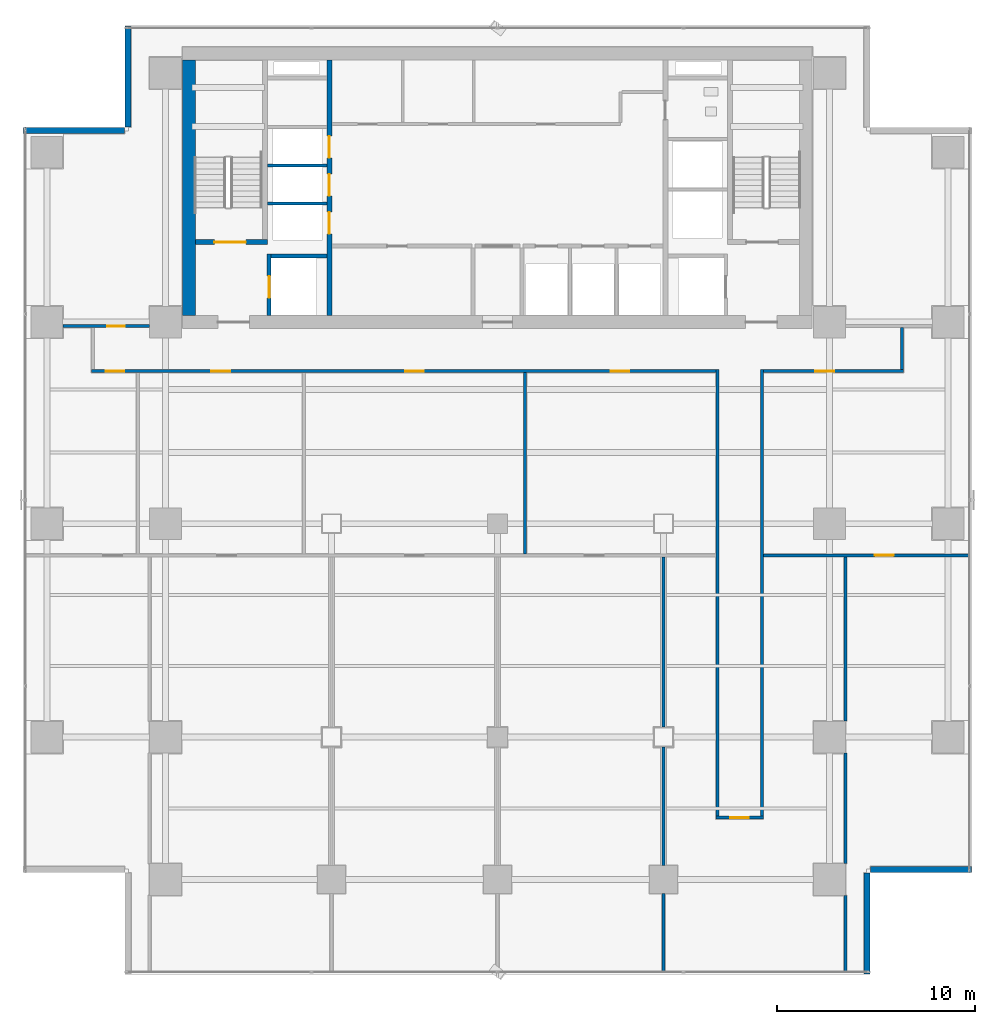
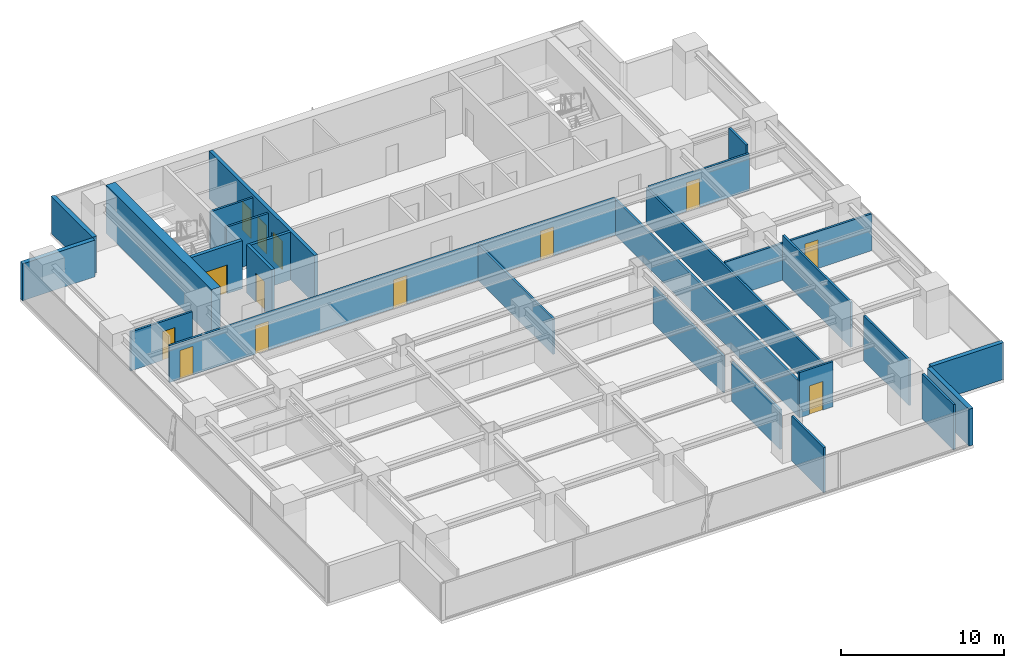
# One storey, part 21 of 28: 26 walls, 13 doors, 13 openings.
"""IFC4 building model written with IfcOpenShell, lengths in metres."""

from ifc_helpers import new_model, si_unit, direction, frame, frame_2d, origin, place, context, subcontext, project, spatial, rectangle, extrude, source, transform, mapped, material, layer, layer_set, type_object, element, fill, save


model = new_model("IFC4")

# Units and contexts
model_context = context("Model", 3, precision=1e-05, world=origin(), true_north=direction((0.0, 1.0)))
body_context = subcontext(model_context, "Body", "Model", "MODEL_VIEW")
ifc_project = project(units=[si_unit("LENGTHUNIT", "METRE"), si_unit("AREAUNIT", "SQUARE_METRE"), si_unit("VOLUMEUNIT", "CUBIC_METRE"), si_unit("PLANEANGLEUNIT", "RADIAN"), si_unit("MASSUNIT", "GRAM", prefix="KILO")], contexts=[model_context])

# Site, building, storey
site_placement = place(None, origin())
site = spatial("IfcSite", under=ifc_project, at=site_placement, CompositionType="ELEMENT")
building_placement = place(site_placement, origin())
building = spatial("IfcBuilding", under=site, at=building_placement, Name="Sumidabori Civic Tower", CompositionType="ELEMENT")
storey_placement = place(building_placement, frame((0.0, 0.0, 149.60009765625)))
storey = spatial("IfcBuildingStorey", under=building, at=storey_placement, Name="L38", CompositionType="ELEMENT", Elevation=149.60009765625)

# Walls
ifc_material_1 = material(Name="Concrete C50/60", Category="concrete")
ifc_layer_1 = layer(ifc_material_1, 0.199951171875, Name="Concrete C50/60")
ifc_layer_set_1 = layer_set([ifc_layer_1], Name="Concrete C50/60")
wall_type_1 = type_object("IfcWallType", Name="WL-SHAFT-200", PredefinedType="SHEAR", material=ifc_layer_set_1)
shared_shape_1 = source(origin(), body_context, "Body", "SweptSolid", [
    extrude(rectangle(XDim=2.824951171875, YDim=0.199951171875, at=frame_2d((1.41259765625, 0.0))), origin(), (0.0, 0.0, 1.0), 3.599853515625),
])
wall_1_placement = place(storey_placement, frame((-11.449951171875, 13.550048828125, 0.0), z_axis=(0.0, 0.0, 1.0), x_axis=(1.0, 0.0, 0.0)))
element("IfcWall", 1, at=wall_1_placement, inside=storey, type_object=wall_type_1, Name="Core Shear Wall L38 EL1-N", PredefinedType="SHEAR", context=body_context, shape_type="MappedRepresentation", body=[
    mapped(shared_shape_1, transform((0.0, 0.0, 0.0), x_axis=(1.0, 0.0, 0.0), y_axis=(0.0, 1.0, 0.0), z_axis=(0.0, 0.0, 1.0), scale=1.0)),
])
ifc_material_2 = material(Name="Concrete C60/75", Category="concrete")
ifc_layer_2 = layer(ifc_material_2, 0.64990234375, Name="Concrete C60/75")
ifc_layer_set_2 = layer_set([ifc_layer_2], Name="Concrete C60/75")
wall_type_2 = type_object("IfcWallType", Name="WL-CORE-650", PredefinedType="SHEAR", material=ifc_layer_set_2)
shared_shape_2 = source(origin(), body_context, "Body", "SweptSolid", [
    extrude(rectangle(XDim=12.9501953125, YDim=0.64990234375, at=frame_2d((6.47509765625, 0.0))), origin(), (0.0, 0.0, 1.0), 3.599853515625),
])
wall_2_placement = place(storey_placement, frame((-15.60009765625, 10.52490234375, 0.0), z_axis=(0.0, 0.0, 1.0), x_axis=(0.0, 1.0, 0.0)))
element("IfcWall", 2, at=wall_2_placement, inside=storey, type_object=wall_type_2, Name="Core Shear Wall L38 W", PredefinedType="SHEAR", context=body_context, shape_type="MappedRepresentation", body=[
    mapped(shared_shape_2, transform((0.0, 0.0, 0.0), x_axis=(1.0, 0.0, 0.0), y_axis=(0.0, 1.0, 0.0), z_axis=(0.0, 0.0, 1.0), scale=1.0)),
])

# Wall, openings, doors
ifc_layer_3 = layer(ifc_material_1, 0.25, Name="Concrete C50/60")
ifc_layer_set_3 = layer_set([ifc_layer_3], Name="Concrete C50/60")
wall_type_3 = type_object("IfcWallType", Name="WL-SHAFT-250", PredefinedType="SHEAR", material=ifc_layer_set_3)
shared_shape_3 = source(origin(), body_context, "Body", "SweptSolid", [
    extrude(rectangle(XDim=12.9501953125, YDim=0.25, at=frame_2d((6.47509765625, 0.0))), origin(), (0.0, 0.0, 1.0), 3.599853515625),
])
wall_3_placement = place(storey_placement, frame((-8.5, 10.52490234375, 0.0), z_axis=(0.0, 0.0, 1.0), x_axis=(0.0, 1.0, 0.0)))
wall_3 = element("IfcWall", 3, at=wall_3_placement, inside=storey, type_object=wall_type_3, Name="Core Shear Wall L38 WEB-W", PredefinedType="SHEAR", context=body_context, shape_type="MappedRepresentation", body=[
    mapped(shared_shape_3, transform((0.0, 0.0, 0.0), x_axis=(1.0, 0.0, 0.0), y_axis=(0.0, 1.0, 0.0), z_axis=(0.0, 0.0, 1.0), scale=1.0)),
])
opening_1_placement = place(wall_3_placement, frame((4.14501953125, 0.0, 0.0)))
opening_1 = element("IfcOpeningElement", 4, at=opening_1_placement, cuts=wall_3, Name="Opening LD-1", PredefinedType="OPENING", context=body_context, shape_type="SweptSolid", body=[
    extrude(rectangle(XDim=1.10009765625, YDim=2.14990234375, at=frame_2d((0.550048828125, 1.074951171875))), frame((0.0, 0.136962890625, 0.0), z_axis=(0.0, -1.0, 0.0), x_axis=(1.0, 0.0, 0.0)), (0.0, 0.0, 1.0), 0.27392578125),
])
opening_2_placement = place(wall_3_placement, frame((6.06494140625, 0.0, 0.0)))
opening_2 = element("IfcOpeningElement", 5, at=opening_2_placement, cuts=wall_3, Name="Opening LD-1", PredefinedType="OPENING", context=body_context, shape_type="SweptSolid", body=[
    extrude(rectangle(XDim=1.10009765625, YDim=2.14990234375, at=frame_2d((0.550048828125, 1.074951171875))), frame((0.0, 0.136962890625, 0.0), z_axis=(0.0, -1.0, 0.0), x_axis=(1.0, 0.0, 0.0)), (0.0, 0.0, 1.0), 0.27392578125),
])
opening_3_placement = place(wall_3_placement, frame((7.985107421875, 0.0, 0.0)))
opening_3 = element("IfcOpeningElement", 6, at=opening_3_placement, cuts=wall_3, Name="Opening LD-1", PredefinedType="OPENING", context=body_context, shape_type="SweptSolid", body=[
    extrude(rectangle(XDim=1.10009765625, YDim=2.14990234375, at=frame_2d((0.550048828125, 1.074951171875))), frame((0.0, 0.136962890625, 0.0), z_axis=(0.0, -1.0, 0.0), x_axis=(1.0, 0.0, 0.0)), (0.0, 0.0, 1.0), 0.27392578125),
])
ifc_material_3 = material(Name="Stainless Steel Hairline Finish", Category="steel")
door_type_1 = type_object("IfcDoorType", Name="DR-LD1", OperationType="DOUBLE_DOOR_SLIDING", PredefinedType="DOOR", material=ifc_material_3)
shared_shape_4 = source(origin(), body_context, "Body", "SweptSolid", [
    extrude(rectangle(XDim=1.10009765625, YDim=2.14990234375, at=frame_2d((0.550048828125, 1.074951171875))), frame((0.0, 0.02490234375, 0.0), z_axis=(0.0, -1.0, 0.0), x_axis=(1.0, 0.0, 0.0)), (0.0, 0.0, 1.0), 0.050048828125),
])
door_1_placement = place(opening_1_placement, origin())
door_1 = element("IfcDoor", 7, at=door_1_placement, inside=storey, type_object=door_type_1, Name="Door DR:L38:LD-PLH1", OperationType="DOUBLE_DOOR_SLIDING", OverallHeight=2.14990234375, OverallWidth=1.10009765625, PredefinedType="DOOR", context=body_context, shape_type="MappedRepresentation", body=[
    mapped(shared_shape_4, transform((0.0, 0.0, 0.0), x_axis=(1.0, 0.0, 0.0), y_axis=(0.0, 1.0, 0.0), z_axis=(0.0, 0.0, 1.0), scale=1.0)),
])
fill(opening_1, door_1)
door_2_placement = place(opening_2_placement, origin())
door_2 = element("IfcDoor", 8, at=door_2_placement, inside=storey, type_object=door_type_1, Name="Door DR:L38:LD-PLH2", OperationType="DOUBLE_DOOR_SLIDING", OverallHeight=2.14990234375, OverallWidth=1.10009765625, PredefinedType="DOOR", context=body_context, shape_type="MappedRepresentation", body=[
    mapped(shared_shape_4, transform((0.0, 0.0, 0.0), x_axis=(1.0, 0.0, 0.0), y_axis=(0.0, 1.0, 0.0), z_axis=(0.0, 0.0, 1.0), scale=1.0)),
])
fill(opening_2, door_2)
door_3_placement = place(opening_3_placement, origin())
door_3 = element("IfcDoor", 9, at=door_3_placement, inside=storey, type_object=door_type_1, Name="Door DR:L38:LD-PLH3", OperationType="DOUBLE_DOOR_SLIDING", OverallHeight=2.14990234375, OverallWidth=1.10009765625, PredefinedType="DOOR", context=body_context, shape_type="MappedRepresentation", body=[
    mapped(shared_shape_4, transform((0.0, 0.0, 0.0), x_axis=(1.0, 0.0, 0.0), y_axis=(0.0, 1.0, 0.0), z_axis=(0.0, 0.0, 1.0), scale=1.0)),
])
fill(opening_3, door_3)

# Wall, opening, door
shared_shape_5 = source(origin(), body_context, "Body", "SweptSolid", [
    extrude(rectangle(XDim=3.6298828125, YDim=0.25, at=frame_2d((1.81494140625, 0.0))), origin(), (0.0, 0.0, 1.0), 3.599853515625),
])
wall_4_placement = place(storey_placement, frame((-15.27490234375, 14.25, 0.0), z_axis=(0.0, 0.0, 1.0), x_axis=(1.0, 0.0, 0.0)))
wall_4 = element("IfcWall", 10, at=wall_4_placement, inside=storey, type_object=wall_type_3, Name="Core Shear Wall L38 ST1-S", PredefinedType="SHEAR", context=body_context, shape_type="MappedRepresentation", body=[
    mapped(shared_shape_5, transform((0.0, 0.0, 0.0), x_axis=(1.0, 0.0, 0.0), y_axis=(0.0, 1.0, 0.0), z_axis=(0.0, 0.0, 1.0), scale=1.0)),
])
opening_4_placement = place(wall_4_placement, frame((0.949951171875, 0.0, 0.0)))
opening_4 = element("IfcOpeningElement", 11, at=opening_4_placement, cuts=wall_4, Name="Opening DR-FD4", PredefinedType="OPENING", context=body_context, shape_type="SweptSolid", body=[
    extrude(rectangle(XDim=1.60009765625, YDim=2.14990234375, at=frame_2d((0.800048828125, 1.074951171875))), frame((0.0, 0.136962890625, 0.0), z_axis=(0.0, -1.0, 0.0), x_axis=(1.0, 0.0, 0.0)), (0.0, 0.0, 1.0), 0.27392578125),
])
ifc_material_4 = material(Name="Steel SN490", Category="steel")
door_type_2 = type_object("IfcDoorType", Name="DR-FD4", OperationType="DOUBLE_DOOR_SINGLE_SWING", PredefinedType="DOOR", material=ifc_material_4)
shared_shape_6 = source(origin(), body_context, "Body", "SweptSolid", [
    extrude(rectangle(XDim=1.60009765625, YDim=2.14990234375, at=frame_2d((0.800048828125, 1.074951171875))), frame((0.0, 0.02490234375, 0.0), z_axis=(0.0, -1.0, 0.0), x_axis=(1.0, 0.0, 0.0)), (0.0, 0.0, 1.0), 0.050048828125),
])
door_4_placement = place(opening_4_placement, origin())
door_4 = element("IfcDoor", 12, at=door_4_placement, inside=storey, type_object=door_type_2, Name="Door DR:L38:ST1", OperationType="DOUBLE_DOOR_SINGLE_SWING", OverallHeight=2.14990234375, OverallWidth=1.60009765625, PredefinedType="DOOR", context=body_context, shape_type="MappedRepresentation", body=[
    mapped(shared_shape_6, transform((0.0, 0.0, 0.0), x_axis=(1.0, 0.0, 0.0), y_axis=(0.0, 1.0, 0.0), z_axis=(0.0, 0.0, 1.0), scale=1.0)),
])
fill(opening_4, door_4)

shared_shape_7 = source(origin(), body_context, "Body", "SweptSolid", [
    extrude(rectangle(XDim=3.125, YDim=0.199951171875, at=frame_2d((1.5625, 0.0))), origin(), (0.0, 0.0, 1.0), 3.599853515625),
])
wall_5_placement = place(storey_placement, frame((-11.550048828125, 10.52490234375, 0.0), z_axis=(0.0, 0.0, 1.0), x_axis=(0.0, 1.0, 0.0)))
wall_5 = element("IfcWall", 13, at=wall_5_placement, inside=storey, type_object=wall_type_1, Name="Core Shear Wall L38 EL1-W", PredefinedType="SHEAR", context=body_context, shape_type="MappedRepresentation", body=[
    mapped(shared_shape_7, transform((0.0, 0.0, 0.0), x_axis=(1.0, 0.0, 0.0), y_axis=(0.0, 1.0, 0.0), z_axis=(0.0, 0.0, 1.0), scale=1.0)),
])
opening_5_placement = place(wall_5_placement, frame((0.89990234375, 0.0, 0.0)))
opening_5 = element("IfcOpeningElement", 14, at=opening_5_placement, cuts=wall_5, Name="Opening LD-2", PredefinedType="OPENING", context=body_context, shape_type="SweptSolid", body=[
    extrude(rectangle(XDim=1.10009765625, YDim=2.14990234375, at=frame_2d((0.550048828125, 1.074951171875))), frame((0.0, 0.11181640625, 0.0), z_axis=(0.0, -1.0, 0.0), x_axis=(1.0, 0.0, 0.0)), (0.0, 0.0, 1.0), 0.223876953125),
])
door_type_3 = type_object("IfcDoorType", Name="DR-LD2", OperationType="DOUBLE_DOOR_SLIDING", PredefinedType="DOOR", material=ifc_material_3)
door_5_placement = place(opening_5_placement, origin())
door_5 = element("IfcDoor", 15, at=door_5_placement, inside=storey, type_object=door_type_3, Name="Door DR:L38:LD-EL1", OperationType="DOUBLE_DOOR_SLIDING", OverallHeight=2.14990234375, OverallWidth=1.10009765625, PredefinedType="DOOR", context=body_context, shape_type="MappedRepresentation", body=[
    mapped(shared_shape_4, transform((0.0, 0.0, 0.0), x_axis=(1.0, 0.0, 0.0), y_axis=(0.0, 1.0, 0.0), z_axis=(0.0, 0.0, 1.0), scale=1.0)),
])
fill(opening_5, door_5)

# Walls
ifc_material_5 = material(Name="Precast concrete C40/50", Category="concrete")
ifc_layer_4 = layer(ifc_material_5, 0.300048828125, Name="Precast concrete C40/50")
ifc_layer_set_4 = layer_set([ifc_layer_4], Name="Precast concrete C40/50")
wall_type_4 = type_object("IfcWallType", Name="WL-EXT-POD300", PredefinedType="STANDARD", material=ifc_layer_set_4)
shared_shape_8 = source(origin(), body_context, "Body", "SweptSolid", [
    extrude(rectangle(XDim=5.110107421875, YDim=0.300048828125, at=frame_2d((2.55517578125, 0.0))), origin(), (0.0, 0.0, 1.0), 2.760009765625),
])
wall_6_placement = place(storey_placement, frame((18.699951171875, -22.780029296875, 0.0), z_axis=(0.0, 0.0, 1.0), x_axis=(0.0, 1.0, 0.0)))
element("IfcWall", 16, at=wall_6_placement, inside=storey, type_object=wall_type_4, Name="Notched Corner Spandrel Band L38-02", PredefinedType="STANDARD", context=body_context, shape_type="MappedRepresentation", body=[
    mapped(shared_shape_8, transform((0.0, 0.0, 0.0), x_axis=(1.0, 0.0, 0.0), y_axis=(0.0, 1.0, 0.0), z_axis=(0.0, 0.0, 1.0), scale=1.0)),
])
shared_shape_9 = source(origin(), body_context, "Body", "SweptSolid", [
    extrude(rectangle(XDim=5.10986328125, YDim=0.300048828125, at=frame_2d((2.554931640625, 0.0))), origin(), (0.0, 0.0, 1.0), 2.760009765625),
])
for number, where, z_axis, x_axis, name in (
    (17, (18.8701171875, -17.5, 0.0), (0.0, 0.0, 1.0), (1.0, 0.0, 0.0), "Notched Corner Spandrel Band L38-03"),
    (18, (-18.699951171875, 25.179931640625, 0.0), (0.0, 0.0, 1.0), (0.0, -1.0, 0.0), "Notched Corner Spandrel Band L38-08"),
    (19, (-18.8701171875, 19.89990234375, 0.0), (0.0, 0.0, 1.0), (-1.0, 0.0, 0.0), "Notched Corner Spandrel Band L38-09"),
):
    element("IfcWall", number, at=place(storey_placement, frame(where, z_axis=z_axis, x_axis=x_axis)), inside=storey, type_object=wall_type_4, Name=name, PredefinedType="STANDARD", context=body_context, shape_type="MappedRepresentation", body=[
        mapped(shared_shape_9, transform((0.0, 0.0, 0.0), x_axis=(1.0, 0.0, 0.0), y_axis=(0.0, 1.0, 0.0), z_axis=(0.0, 0.0, 1.0), scale=1.0)),
    ])
ifc_material_6 = material(Name="Gypsum Plasterboard Acoustic Partition")
ifc_layer_5 = layer(ifc_material_6, 0.14990234375, Name="Gypsum Plasterboard Acoustic Partition")
ifc_layer_set_5 = layer_set([ifc_layer_5], Name="Gypsum Plasterboard Acoustic Partition")
wall_type_5 = type_object("IfcWallType", Name="WL-PART-150", PredefinedType="PARTITIONING", material=ifc_layer_set_5)
shared_shape_10 = source(origin(), body_context, "Body", "SweptSolid", [
    extrude(rectangle(XDim=3.010009765625, YDim=0.14990234375, at=frame_2d((1.5048828125, 0.0))), origin(), (0.0, 0.0, 1.0), 3.3798828125),
])
for number, where, z_axis, x_axis, name in (
    (20, (-11.639892578125, 16.199951171875, 0.0), (0.0, 0.0, 1.0), (1.0, 0.0, 0.0), "Interior Partition WL:L38:DIV-PLH1"),
    (21, (-11.639892578125, 18.1201171875, 0.0), (0.0, 0.0, 1.0), (1.0, 0.0, 0.0), "Interior Partition WL:L38:DIV-PLH2"),
):
    element("IfcWall", number, at=place(storey_placement, frame(where, z_axis=z_axis, x_axis=x_axis)), inside=storey, type_object=wall_type_5, Name=name, PredefinedType="PARTITIONING", context=body_context, shape_type="MappedRepresentation", body=[
        mapped(shared_shape_10, transform((0.0, 0.0, 0.0), x_axis=(1.0, 0.0, 0.0), y_axis=(0.0, 1.0, 0.0), z_axis=(0.0, 0.0, 1.0), scale=1.0)),
    ])

# Wall, openings, doors
shared_shape_11 = source(origin(), body_context, "Body", "SweptSolid", [
    extrude(rectangle(XDim=31.60009765625, YDim=0.14990234375, at=frame_2d((15.800048828125, 0.0))), origin(), (0.0, 0.0, 1.0), 2.764892578125),
])
wall_7_placement = place(storey_placement, frame((-20.550048828125, 7.72509765625, 0.0), z_axis=(0.0, 0.0, 1.0), x_axis=(1.0, 0.0, 0.0)))
wall_7 = element("IfcWall", 22, at=wall_7_placement, inside=storey, type_object=wall_type_5, Name="Interior Partition WL:L38:CORR-SW", PredefinedType="PARTITIONING", context=body_context, shape_type="MappedRepresentation", body=[
    mapped(shared_shape_11, transform((0.0, 0.0, 0.0), x_axis=(1.0, 0.0, 0.0), y_axis=(0.0, 1.0, 0.0), z_axis=(0.0, 0.0, 1.0), scale=1.0)),
])
opening_6_placement = place(wall_7_placement, frame((0.722412109375, 0.0, 0.0)))
opening_6 = element("IfcOpeningElement", 23, at=opening_6_placement, cuts=wall_7, Name="Opening DR-2", PredefinedType="OPENING", context=body_context, shape_type="SweptSolid", body=[
    extrude(rectangle(XDim=0.949951171875, YDim=2.14990234375, at=frame_2d((0.47509765625, 1.074951171875))), frame((0.0, 0.0869140625, 0.0), z_axis=(0.0, -1.0, 0.0), x_axis=(1.0, 0.0, 0.0)), (0.0, 0.0, 1.0), 0.173828125),
])
opening_7_placement = place(wall_7_placement, frame((6.074951171875, 0.0, 0.0)))
opening_7 = element("IfcOpeningElement", 24, at=opening_7_placement, cuts=wall_7, Name="Opening DR-2", PredefinedType="OPENING", context=body_context, shape_type="SweptSolid", body=[
    extrude(rectangle(XDim=0.949951171875, YDim=2.14990234375, at=frame_2d((0.47509765625, 1.074951171875))), frame((0.0, 0.0869140625, 0.0), z_axis=(0.0, -1.0, 0.0), x_axis=(1.0, 0.0, 0.0)), (0.0, 0.0, 1.0), 0.173828125),
])
opening_8_placement = place(wall_7_placement, frame((15.875, 0.0, 0.0)))
opening_8 = element("IfcOpeningElement", 25, at=opening_8_placement, cuts=wall_7, Name="Opening DR-2", PredefinedType="OPENING", context=body_context, shape_type="SweptSolid", body=[
    extrude(rectangle(XDim=0.949951171875, YDim=2.14990234375, at=frame_2d((0.47509765625, 1.074951171875))), frame((0.0, 0.0869140625, 0.0), z_axis=(0.0, -1.0, 0.0), x_axis=(1.0, 0.0, 0.0)), (0.0, 0.0, 1.0), 0.173828125),
])
opening_9_placement = place(wall_7_placement, frame((26.277587890625, 0.0, 0.0)))
opening_9 = element("IfcOpeningElement", 26, at=opening_9_placement, cuts=wall_7, Name="Opening DR-2", PredefinedType="OPENING", context=body_context, shape_type="SweptSolid", body=[
    extrude(rectangle(XDim=0.949951171875, YDim=2.14990234375, at=frame_2d((0.47509765625, 1.074951171875))), frame((0.0, 0.0869140625, 0.0), z_axis=(0.0, -1.0, 0.0), x_axis=(1.0, 0.0, 0.0)), (0.0, 0.0, 1.0), 0.173828125),
])
ifc_material_7 = material(Name="Japanese Hinoki Timber", Category="wood")
door_type_4 = type_object("IfcDoorType", Name="DR-INT-950", OperationType="NOTDEFINED", PredefinedType="DOOR", material=ifc_material_7)
shared_shape_12 = source(origin(), body_context, "Body", "SweptSolid", [
    extrude(rectangle(XDim=0.949951171875, YDim=2.14990234375, at=frame_2d((0.47509765625, 1.074951171875))), frame((0.0, 0.02490234375, 0.0), z_axis=(0.0, -1.0, 0.0), x_axis=(1.0, 0.0, 0.0)), (0.0, 0.0, 1.0), 0.050048828125),
])
door_6_placement = place(opening_6_placement, origin())
door_6 = element("IfcDoor", 27, at=door_6_placement, inside=storey, type_object=door_type_4, Name="Door DR:L38:D02", OperationType="SINGLE_SWING_RIGHT", OverallHeight=2.14990234375, OverallWidth=0.949951171875, PredefinedType="DOOR", context=body_context, shape_type="MappedRepresentation", body=[
    mapped(shared_shape_12, transform((0.0, 0.0, 0.0), x_axis=(1.0, 0.0, 0.0), y_axis=(0.0, 1.0, 0.0), z_axis=(0.0, 0.0, 1.0), scale=1.0)),
])
fill(opening_6, door_6)
door_7_placement = place(opening_7_placement, origin())
door_7 = element("IfcDoor", 28, at=door_7_placement, inside=storey, type_object=door_type_4, Name="Door DR:L38:D04", OperationType="SINGLE_SWING_RIGHT", OverallHeight=2.14990234375, OverallWidth=0.949951171875, PredefinedType="DOOR", context=body_context, shape_type="MappedRepresentation", body=[
    mapped(shared_shape_12, transform((0.0, 0.0, 0.0), x_axis=(1.0, 0.0, 0.0), y_axis=(0.0, 1.0, 0.0), z_axis=(0.0, 0.0, 1.0), scale=1.0)),
])
fill(opening_7, door_7)
door_8_placement = place(opening_8_placement, origin())
door_8 = element("IfcDoor", 29, at=door_8_placement, inside=storey, type_object=door_type_4, Name="Door DR:L38:D05", OperationType="SINGLE_SWING_LEFT", OverallHeight=2.14990234375, OverallWidth=0.949951171875, PredefinedType="DOOR", context=body_context, shape_type="MappedRepresentation", body=[
    mapped(shared_shape_12, transform((0.0, 0.0, 0.0), x_axis=(1.0, 0.0, 0.0), y_axis=(0.0, 1.0, 0.0), z_axis=(0.0, 0.0, 1.0), scale=1.0)),
])
fill(opening_8, door_8)
door_9_placement = place(opening_9_placement, origin())
door_9 = element("IfcDoor", 30, at=door_9_placement, inside=storey, type_object=door_type_4, Name="Door DR:L38:D06", OperationType="SINGLE_SWING_RIGHT", OverallHeight=2.14990234375, OverallWidth=0.949951171875, PredefinedType="DOOR", context=body_context, shape_type="MappedRepresentation", body=[
    mapped(shared_shape_12, transform((0.0, 0.0, 0.0), x_axis=(1.0, 0.0, 0.0), y_axis=(0.0, 1.0, 0.0), z_axis=(0.0, 0.0, 1.0), scale=1.0)),
])
fill(opening_9, door_9)

# Wall, opening, door
shared_shape_13 = source(origin(), body_context, "Body", "SweptSolid", [
    extrude(rectangle(XDim=7.10009765625, YDim=0.14990234375, at=frame_2d((3.550048828125, 0.0))), origin(), (0.0, 0.0, 1.0), 2.764892578125),
])
wall_8_placement = place(storey_placement, frame((13.449951171875, 7.72509765625, 0.0), z_axis=(0.0, 0.0, 1.0), x_axis=(1.0, 0.0, 0.0)))
wall_8 = element("IfcWall", 31, at=wall_8_placement, inside=storey, type_object=wall_type_5, Name="Interior Partition WL:L38:CORR-SE", PredefinedType="PARTITIONING", context=body_context, shape_type="MappedRepresentation", body=[
    mapped(shared_shape_13, transform((0.0, 0.0, 0.0), x_axis=(1.0, 0.0, 0.0), y_axis=(0.0, 1.0, 0.0), z_axis=(0.0, 0.0, 1.0), scale=1.0)),
])
opening_10_placement = place(wall_8_placement, frame((2.635009765625, 0.0, 0.0)))
opening_10 = element("IfcOpeningElement", 32, at=opening_10_placement, cuts=wall_8, Name="Opening DR-2", PredefinedType="OPENING", context=body_context, shape_type="SweptSolid", body=[
    extrude(rectangle(XDim=0.949951171875, YDim=2.14990234375, at=frame_2d((0.47509765625, 1.074951171875))), frame((0.0, 0.0869140625, 0.0), z_axis=(0.0, -1.0, 0.0), x_axis=(1.0, 0.0, 0.0)), (0.0, 0.0, 1.0), 0.173828125),
])
door_10_placement = place(opening_10_placement, origin())
door_10 = element("IfcDoor", 33, at=door_10_placement, inside=storey, type_object=door_type_4, Name="Door DR:L38:D03", OperationType="SINGLE_SWING_LEFT", OverallHeight=2.14990234375, OverallWidth=0.949951171875, PredefinedType="DOOR", context=body_context, shape_type="MappedRepresentation", body=[
    mapped(shared_shape_12, transform((0.0, 0.0, 0.0), x_axis=(1.0, 0.0, 0.0), y_axis=(0.0, 1.0, 0.0), z_axis=(0.0, 0.0, 1.0), scale=1.0)),
])
fill(opening_10, door_10)

shared_shape_14 = source(origin(), body_context, "Body", "SweptSolid", [
    extrude(rectangle(XDim=2.39990234375, YDim=0.14990234375, at=frame_2d((1.199951171875, 0.0))), origin(), (0.0, 0.0, 1.0), 3.3798828125),
])
wall_9_placement = place(storey_placement, frame((11.050048828125, -14.875, 0.0), z_axis=(0.0, 0.0, 1.0), x_axis=(1.0, 0.0, 0.0)))
wall_9 = element("IfcWall", 34, at=wall_9_placement, inside=storey, type_object=wall_type_5, Name="Interior Partition WL:L38:CORR-CAP-E", PredefinedType="PARTITIONING", context=body_context, shape_type="MappedRepresentation", body=[
    mapped(shared_shape_14, transform((0.0, 0.0, 0.0), x_axis=(1.0, 0.0, 0.0), y_axis=(0.0, 1.0, 0.0), z_axis=(0.0, 0.0, 1.0), scale=1.0)),
])
opening_11_placement = place(wall_9_placement, frame((0.72509765625, 0.0, 0.0)))
opening_11 = element("IfcOpeningElement", 35, at=opening_11_placement, cuts=wall_9, Name="Opening DR-2", PredefinedType="OPENING", context=body_context, shape_type="SweptSolid", body=[
    extrude(rectangle(XDim=0.949951171875, YDim=2.14990234375, at=frame_2d((0.47509765625, 1.074951171875))), frame((0.0, 0.0869140625, 0.0), z_axis=(0.0, -1.0, 0.0), x_axis=(1.0, 0.0, 0.0)), (0.0, 0.0, 1.0), 0.173828125),
])
door_11_placement = place(opening_11_placement, origin())
door_11 = element("IfcDoor", 36, at=door_11_placement, inside=storey, type_object=door_type_4, Name="Door DR:L38:D07", OperationType="SINGLE_SWING_LEFT", OverallHeight=2.14990234375, OverallWidth=0.949951171875, PredefinedType="DOOR", context=body_context, shape_type="MappedRepresentation", body=[
    mapped(shared_shape_12, transform((0.0, 0.0, 0.0), x_axis=(1.0, 0.0, 0.0), y_axis=(0.0, 1.0, 0.0), z_axis=(0.0, 0.0, 1.0), scale=1.0)),
])
fill(opening_11, door_11)

# Wall
shared_shape_15 = source(origin(), body_context, "Body", "SweptSolid", [
    extrude(rectangle(XDim=2.114990234375, YDim=0.14990234375, at=frame_2d((1.0576171875, 0.0))), origin(), (0.0, 0.0, 1.0), 3.3798828125),
])
wall_10_placement = place(storey_placement, frame((20.47509765625, 7.804931640625, 0.0), z_axis=(0.0, 0.0, 1.0), x_axis=(0.0, 1.0, 0.0)))
element("IfcWall", 37, at=wall_10_placement, inside=storey, type_object=wall_type_5, Name="Interior Partition WL:L38:CORR-VNE", PredefinedType="PARTITIONING", context=body_context, shape_type="MappedRepresentation", body=[
    mapped(shared_shape_15, transform((0.0, 0.0, 0.0), x_axis=(1.0, 0.0, 0.0), y_axis=(0.0, 1.0, 0.0), z_axis=(0.0, 0.0, 1.0), scale=1.0)),
])

# Wall, opening, door
shared_shape_16 = source(origin(), body_context, "Body", "SweptSolid", [
    extrude(rectangle(XDim=10.39501953125, YDim=0.14990234375, at=frame_2d((5.197509765625, 0.0))), origin(), (0.0, 0.0, 1.0), 2.764892578125),
])
wall_11_placement = place(storey_placement, frame((13.455078125, -1.60009765625, 0.0), z_axis=(0.0, 0.0, 1.0), x_axis=(1.0, 0.0, 0.0)))
wall_11 = element("IfcWall", 38, at=wall_11_placement, inside=storey, type_object=wall_type_5, Name="Interior Partition WL:L38:BAND-Y-2", PredefinedType="PARTITIONING", context=body_context, shape_type="MappedRepresentation", body=[
    mapped(shared_shape_16, transform((0.0, 0.0, 0.0), x_axis=(1.0, 0.0, 0.0), y_axis=(0.0, 1.0, 0.0), z_axis=(0.0, 0.0, 1.0), scale=1.0)),
])
opening_12_placement = place(wall_11_placement, frame((5.64501953125, 0.0, 0.0)))
opening_12 = element("IfcOpeningElement", 39, at=opening_12_placement, cuts=wall_11, Name="Opening DR-2", PredefinedType="OPENING", context=body_context, shape_type="SweptSolid", body=[
    extrude(rectangle(XDim=0.949951171875, YDim=2.14990234375, at=frame_2d((0.47509765625, 1.074951171875))), frame((0.0, 0.0869140625, 0.0), z_axis=(0.0, -1.0, 0.0), x_axis=(1.0, 0.0, 0.0)), (0.0, 0.0, 1.0), 0.173828125),
])
door_12_placement = place(opening_12_placement, origin())
door_12 = element("IfcDoor", 40, at=door_12_placement, inside=storey, type_object=door_type_4, Name="Door DR:L38:D09", OperationType="SINGLE_SWING_LEFT", OverallHeight=2.14990234375, OverallWidth=0.949951171875, PredefinedType="DOOR", context=body_context, shape_type="MappedRepresentation", body=[
    mapped(shared_shape_12, transform((0.0, 0.0, 0.0), x_axis=(1.0, 0.0, 0.0), y_axis=(0.0, 1.0, 0.0), z_axis=(0.0, 0.0, 1.0), scale=1.0)),
])
fill(opening_12, door_12)

# Walls
shared_shape_17 = source(origin(), body_context, "Body", "SweptSolid", [
    extrude(rectangle(XDim=3.83984375, YDim=0.14990234375, at=frame_2d((1.919921875, 0.0))), origin(), (0.0, 0.0, 1.0), 3.3798828125),
])
wall_12_placement = place(storey_placement, frame((17.60009765625, -22.64990234375, 0.0), z_axis=(0.0, 0.0, 1.0), x_axis=(0.0, 1.0, 0.0)))
element("IfcWall", 41, at=wall_12_placement, inside=storey, type_object=wall_type_5, Name="Interior Partition WL:L38:VX-S5-1", PredefinedType="PARTITIONING", context=body_context, shape_type="MappedRepresentation", body=[
    mapped(shared_shape_17, transform((0.0, 0.0, 0.0), x_axis=(1.0, 0.0, 0.0), y_axis=(0.0, 1.0, 0.0), z_axis=(0.0, 0.0, 1.0), scale=1.0)),
])
shared_shape_18 = source(origin(), body_context, "Body", "SweptSolid", [
    extrude(rectangle(XDim=5.579833984375, YDim=0.14990234375, at=frame_2d((2.7900390625, 0.0))), origin(), (0.0, 0.0, 1.0), 3.3798828125),
])
wall_13_placement = place(storey_placement, frame((17.60009765625, -17.18994140625, 0.0), z_axis=(0.0, 0.0, 1.0), x_axis=(0.0, 1.0, 0.0)))
element("IfcWall", 42, at=wall_13_placement, inside=storey, type_object=wall_type_5, Name="Interior Partition WL:L38:VX-S5-2", PredefinedType="PARTITIONING", context=body_context, shape_type="MappedRepresentation", body=[
    mapped(shared_shape_18, transform((0.0, 0.0, 0.0), x_axis=(1.0, 0.0, 0.0), y_axis=(0.0, 1.0, 0.0), z_axis=(0.0, 0.0, 1.0), scale=1.0)),
])
shared_shape_19 = source(origin(), body_context, "Body", "SweptSolid", [
    extrude(rectangle(XDim=8.31005859375, YDim=0.14990234375, at=frame_2d((4.155029296875, 0.0))), origin(), (0.0, 0.0, 1.0), 3.3798828125),
])
wall_14_placement = place(storey_placement, frame((17.60009765625, -9.989990234375, 0.0), z_axis=(0.0, 0.0, 1.0), x_axis=(0.0, 1.0, 0.0)))
element("IfcWall", 43, at=wall_14_placement, inside=storey, type_object=wall_type_5, Name="Interior Partition WL:L38:VX-S5-3", PredefinedType="PARTITIONING", context=body_context, shape_type="MappedRepresentation", body=[
    mapped(shared_shape_19, transform((0.0, 0.0, 0.0), x_axis=(1.0, 0.0, 0.0), y_axis=(0.0, 1.0, 0.0), z_axis=(0.0, 0.0, 1.0), scale=1.0)),
])
shared_shape_20 = source(origin(), body_context, "Body", "SweptSolid", [
    extrude(rectangle(XDim=3.93994140625, YDim=0.14990234375, at=frame_2d((1.969970703125, 0.0))), origin(), (0.0, 0.0, 1.0), 3.3798828125),
])
wall_15_placement = place(storey_placement, frame((8.39990234375, -22.64990234375, 0.0), z_axis=(0.0, 0.0, 1.0), x_axis=(0.0, 1.0, 0.0)))
element("IfcWall", 44, at=wall_15_placement, inside=storey, type_object=wall_type_5, Name="Interior Partition WL:L38:VX-S4-1", PredefinedType="PARTITIONING", context=body_context, shape_type="MappedRepresentation", body=[
    mapped(shared_shape_20, transform((0.0, 0.0, 0.0), x_axis=(1.0, 0.0, 0.0), y_axis=(0.0, 1.0, 0.0), z_axis=(0.0, 0.0, 1.0), scale=1.0)),
])
shared_shape_21 = source(origin(), body_context, "Body", "SweptSolid", [
    extrude(rectangle(XDim=8.610107421875, YDim=0.14990234375, at=frame_2d((4.30517578125, 0.0))), origin(), (0.0, 0.0, 1.0), 2.764892578125),
])
wall_16_placement = place(storey_placement, frame((8.39990234375, -10.2900390625, 0.0), z_axis=(0.0, 0.0, 1.0), x_axis=(0.0, 1.0, 0.0)))
element("IfcWall", 45, at=wall_16_placement, inside=storey, type_object=wall_type_5, Name="Interior Partition WL:L38:VX-S4-3", PredefinedType="PARTITIONING", context=body_context, shape_type="MappedRepresentation", body=[
    mapped(shared_shape_21, transform((0.0, 0.0, 0.0), x_axis=(1.0, 0.0, 0.0), y_axis=(0.0, 1.0, 0.0), z_axis=(0.0, 0.0, 1.0), scale=1.0)),
])

# Wall, opening, door
shared_shape_22 = source(origin(), body_context, "Body", "SweptSolid", [
    extrude(rectangle(XDim=4.3798828125, YDim=0.14990234375, at=frame_2d((2.18994140625, 0.0))), origin(), (0.0, 0.0, 1.0), 2.914794921875),
])
wall_17_placement = place(storey_placement, frame((-21.989990234375, 10.0, 0.0), z_axis=(0.0, 0.0, 1.0), x_axis=(1.0, 0.0, 0.0)))
wall_17 = element("IfcWall", 46, at=wall_17_placement, inside=storey, type_object=wall_type_5, Name="Interior Partition WL:L38:FLK-NW", PredefinedType="PARTITIONING", context=body_context, shape_type="MappedRepresentation", body=[
    mapped(shared_shape_22, transform((0.0, 0.0, 0.0), x_axis=(1.0, 0.0, 0.0), y_axis=(0.0, 1.0, 0.0), z_axis=(0.0, 0.0, 1.0), scale=1.0)),
])
opening_13_placement = place(wall_17_placement, frame((2.235107421875, 0.0, 0.0)))
opening_13 = element("IfcOpeningElement", 47, at=opening_13_placement, cuts=wall_17, Name="Opening DR-1", PredefinedType="OPENING", context=body_context, shape_type="SweptSolid", body=[
    extrude(rectangle(XDim=0.89990234375, YDim=2.14990234375, at=frame_2d((0.449951171875, 1.074951171875))), frame((0.0, 0.0869140625, 0.0), z_axis=(0.0, -1.0, 0.0), x_axis=(1.0, 0.0, 0.0)), (0.0, 0.0, 1.0), 0.173828125),
])
door_type_5 = type_object("IfcDoorType", Name="DR-INT-900", OperationType="NOTDEFINED", PredefinedType="DOOR", material=ifc_material_7)
shared_shape_23 = source(origin(), body_context, "Body", "SweptSolid", [
    extrude(rectangle(XDim=0.89990234375, YDim=2.14990234375, at=frame_2d((0.449951171875, 1.074951171875))), frame((0.0, 0.02490234375, 0.0), z_axis=(0.0, -1.0, 0.0), x_axis=(1.0, 0.0, 0.0)), (0.0, 0.0, 1.0), 0.050048828125),
])
door_13_placement = place(opening_13_placement, origin())
door_13 = element("IfcDoor", 48, at=door_13_placement, inside=storey, type_object=door_type_5, Name="Door DR:L38:FLK-NE", OperationType="SINGLE_SWING_LEFT", OverallHeight=2.14990234375, OverallWidth=0.89990234375, PredefinedType="DOOR", context=body_context, shape_type="MappedRepresentation", body=[
    mapped(shared_shape_23, transform((0.0, 0.0, 0.0), x_axis=(1.0, 0.0, 0.0), y_axis=(0.0, 1.0, 0.0), z_axis=(0.0, 0.0, 1.0), scale=1.0)),
])
fill(opening_13, door_13)

# Walls
shared_shape_24 = source(origin(), body_context, "Body", "SweptSolid", [
    extrude(rectangle(XDim=22.594970703125, YDim=0.14990234375, at=frame_2d((11.29736328125, 0.0))), origin(), (0.0, 0.0, 1.0), 2.664794921875),
])
for number, where, z_axis, x_axis, name in (
    (49, (11.125, -14.794921875, 0.0), (0.0, 0.0, 1.0), (0.0, 1.0, 0.0), "Interior Partition WL:L38:CORR-VL-W"),
    (50, (13.375, -14.794921875, 0.0), (0.0, 0.0, 1.0), (0.0, 1.0, 0.0), "Interior Partition WL:L38:CORR-VL-E"),
):
    element("IfcWall", number, at=place(storey_placement, frame(where, z_axis=z_axis, x_axis=x_axis)), inside=storey, type_object=wall_type_5, Name=name, PredefinedType="PARTITIONING", context=body_context, shape_type="MappedRepresentation", body=[
        mapped(shared_shape_24, transform((0.0, 0.0, 0.0), x_axis=(1.0, 0.0, 0.0), y_axis=(0.0, 1.0, 0.0), z_axis=(0.0, 0.0, 1.0), scale=1.0)),
    ])
shared_shape_25 = source(origin(), body_context, "Body", "SweptSolid", [
    extrude(rectangle(XDim=9.1650390625, YDim=0.14990234375, at=frame_2d((4.58251953125, 0.0))), origin(), (0.0, 0.0, 1.0), 2.664794921875),
])
wall_18_placement = place(storey_placement, frame((1.39990234375, -1.52001953125, 0.0), z_axis=(0.0, 0.0, 1.0), x_axis=(0.0, 1.0, 0.0)))
element("IfcWall", 51, at=wall_18_placement, inside=storey, type_object=wall_type_5, Name="Interior Partition WL:L38:VX-N3", PredefinedType="PARTITIONING", context=body_context, shape_type="MappedRepresentation", body=[
    mapped(shared_shape_25, transform((0.0, 0.0, 0.0), x_axis=(1.0, 0.0, 0.0), y_axis=(0.0, 1.0, 0.0), z_axis=(0.0, 0.0, 1.0), scale=1.0)),
])
shared_shape_26 = source(origin(), body_context, "Body", "SweptSolid", [
    extrude(rectangle(XDim=5.97998046875, YDim=0.14990234375, at=frame_2d((2.989990234375, 0.0))), origin(), (0.0, 0.0, 1.0), 2.96484375),
])
wall_19_placement = place(storey_placement, frame((8.39990234375, -17.2900390625, 0.0), z_axis=(0.0, 0.0, 1.0), x_axis=(0.0, 1.0, 0.0)))
element("IfcWall", 52, at=wall_19_placement, inside=storey, type_object=wall_type_5, Name="Interior Partition WL:L38:VX-S4-2", PredefinedType="PARTITIONING", context=body_context, shape_type="MappedRepresentation", body=[
    mapped(shared_shape_26, transform((0.0, 0.0, 0.0), x_axis=(1.0, 0.0, 0.0), y_axis=(0.0, 1.0, 0.0), z_axis=(0.0, 0.0, 1.0), scale=1.0)),
])

save(model, "model.ifc")
